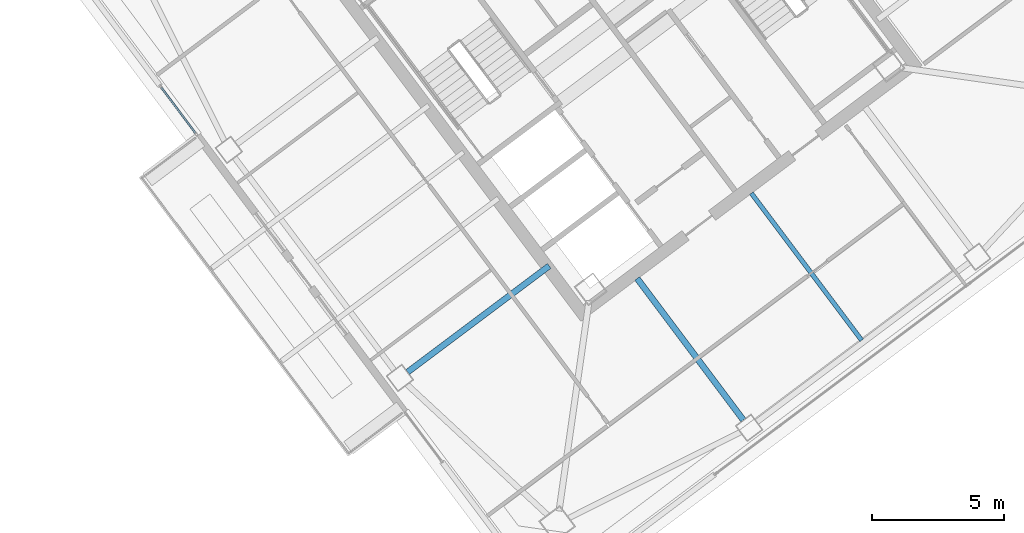
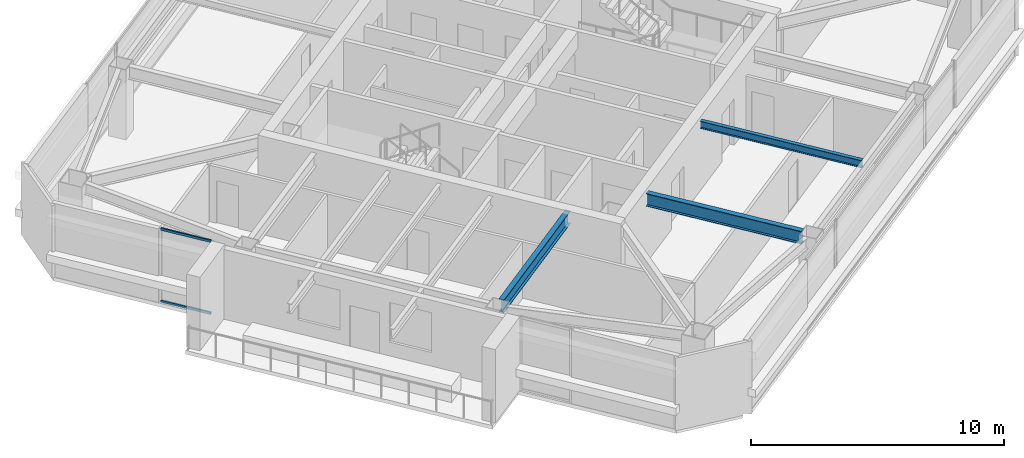
# One storey, part 19 of 39: 3 beams, 2 members, 1 element without a shape of its own.
"""IFC4 building model written with IfcOpenShell, lengths in metres."""

from ifc_helpers import new_model, si_unit, direction, frame, origin, origin_2d, place, context, subcontext, project, spatial, hollow_rectangle, i_section, extrude, material, material_profile, profile_set, type_object, element, aggregate, save


model = new_model("IFC4")

# Units and contexts
model_context = context("Model", 3, precision=1e-05, world=origin(), true_north=direction((0.0, 1.0)))
body_context = subcontext(model_context, "Body", "Model", "MODEL_VIEW")
ifc_project = project(units=[si_unit("LENGTHUNIT", "METRE"), si_unit("AREAUNIT", "SQUARE_METRE"), si_unit("VOLUMEUNIT", "CUBIC_METRE"), si_unit("PLANEANGLEUNIT", "RADIAN"), si_unit("MASSUNIT", "GRAM", prefix="KILO")], contexts=[model_context])

# Site, building, storey
site_placement = place(None, origin())
site = spatial("IfcSite", under=ifc_project, at=site_placement, CompositionType="ELEMENT")
building_placement = place(site_placement, origin())
building = spatial("IfcBuilding", under=site, at=building_placement, Name="Tashvorn Skyway Center", CompositionType="ELEMENT")
storey_placement = place(building_placement, frame((0.0, 0.0, 225.5)))
storey = spatial("IfcBuildingStorey", under=building, at=storey_placement, Name="L61", CompositionType="ELEMENT", Elevation=225.5)

# Beams
ifc_material_1 = material(Name="Steel ASTM A992 Grade 50", Category="steel")
ifc_material_profile_1 = material_profile(ifc_material_1, i_section(OverallWidth=0.22998046875, OverallDepth=0.616943359375, WebThickness=0.01318359375, FlangeThickness=0.022216796875, at=origin_2d()), Name="W24X94")
ifc_profile_set_1 = profile_set([ifc_material_profile_1], Name="Steel ASTM A992 Grade 50")
beam_type_1 = type_object("IfcBeamType", Name="BM-BEAM-W24X94", PredefinedType="BEAM", material=ifc_profile_set_1)
beam_1_placement = place(storey_placement, frame((118.367919921875, 17.176025390625, 3.0615234375), z_axis=(-0.600011660554, 0.799991254452, 0.0), x_axis=(-0.799991254452, -0.600011660554, 0.0)))
element("IfcBeam", 1, at=beam_1_placement, inside=storey, type_object=beam_type_1, Name="Tower 2 L61 Primary Floor Girder FC-S1", PredefinedType="BEAM", context=body_context, shape_type="SweptSolid", body=[
    extrude(i_section(OverallWidth=0.22998046875, OverallDepth=0.616943359375, WebThickness=0.01318359375, FlangeThickness=0.022216796875, at=origin_2d()), origin(), (0.0, 0.0, 1.0), 6.699951171875),
])
beam_2_placement = place(storey_placement, frame((105.656005859375, 18.991943359375, 3.0615234375), z_axis=(0.800004372583, 0.599994169845, 0.0), x_axis=(-0.599994169845, 0.800004372583, 0.0)))
element("IfcBeam", 2, at=beam_2_placement, inside=storey, type_object=beam_type_1, Name="Tower 2 L61 Primary Floor Girder FC-W2", PredefinedType="BEAM", context=body_context, shape_type="SweptSolid", body=[
    extrude(i_section(OverallWidth=0.22998046875, OverallDepth=0.616943359375, WebThickness=0.01318359375, FlangeThickness=0.022216796875, at=origin_2d()), origin(), (0.0, 0.0, 1.0), 6.7001953125),
])
ifc_material_profile_2 = material_profile(ifc_material_1, i_section(OverallWidth=0.1708984375, OverallDepth=0.35498046875, WebThickness=0.007080078125, FlangeThickness=0.01171875, at=origin_2d()), Name="W14X34")
ifc_profile_set_2 = profile_set([ifc_material_profile_2], Name="Steel ASTM A992 Grade 50")
beam_type_2 = type_object("IfcBeamType", Name="BM-JOIST-W14X34", PredefinedType="JOIST", material=ifc_profile_set_2)
beam_3_placement = place(storey_placement, frame((118.674072265625, 25.76806640625, 3.1923828125), z_axis=(0.599994389612, -0.800004207761, 0.0), x_axis=(0.800004207761, 0.599994389612, 0.0)))
element("IfcBeam", 3, at=beam_3_placement, inside=storey, type_object=beam_type_2, Name="Tower 2 L61 Secondary Composite Joist JS", PredefinedType="JOIST", context=body_context, shape_type="SweptSolid", body=[
    extrude(i_section(OverallWidth=0.1708984375, OverallDepth=0.35498046875, WebThickness=0.007080078125, FlangeThickness=0.01171875, at=origin_2d()), origin(), (0.0, 0.0, 1.0), 6.962646484375),
])

# Curtain wall, members
ifc_material_2 = material(Name="Thermally broken bronze-anodized aluminium 6063-T6", Category="aluminium")
curtain_wall_type = type_object("IfcCurtainWallType", Name="CW-CW-Z5", PredefinedType="NOTDEFINED", material=ifc_material_2)
curtain_wall_placement = place(storey_placement, origin())
curtain_wall = element("IfcCurtainWall", 4, at=curtain_wall_placement, inside=storey, type_object=curtain_wall_type, Name="Tower 2 L61 West Curtain Wall R Glazing Group 1", PredefinedType="NOTDEFINED")
ifc_material_profile_3 = material_profile(ifc_material_2, hollow_rectangle(XDim=0.070068359375, YDim=0.114990234375, WallThickness=0.00390625, at=origin_2d()), Name="ALU-TRAN-70x115")
ifc_profile_set_3 = profile_set([ifc_material_profile_3], Name="Thermally broken bronze-anodized aluminium 6063-T6")
member_type = type_object("IfcMemberType", Name="CWT-CW-Z5", PredefinedType="USERDEFINED", material=ifc_profile_set_3)
member_1_placement = place(storey_placement, frame((97.614013671875, 28.048095703125, 0.034912109375), z_axis=(-0.6, 0.8, 0.0), x_axis=(-0.8, -0.6, 0.0)))
member_1 = element("IfcMember", 5, at=member_1_placement, type_object=member_type, Name="CW-Z5 transom 1.1", ObjectType="TRANSOM", PredefinedType="USERDEFINED", context=body_context, shape_type="SweptSolid", body=[
    extrude(hollow_rectangle(XDim=0.070068359375, YDim=0.114990234375, WallThickness=0.00390625, at=origin_2d()), origin(), (0.0, 0.0, 1.0), 2.1533203125),
])
member_2_placement = place(storey_placement, frame((97.614013671875, 28.048095703125, 3.514892578125), z_axis=(-0.6, 0.8, 0.0), x_axis=(-0.8, -0.6, 0.0)))
member_2 = element("IfcMember", 6, at=member_2_placement, type_object=member_type, Name="CW-Z5 transom 1.2", ObjectType="TRANSOM", PredefinedType="USERDEFINED", context=body_context, shape_type="SweptSolid", body=[
    extrude(hollow_rectangle(XDim=0.070068359375, YDim=0.114990234375, WallThickness=0.00390625, at=origin_2d()), origin(), (0.0, 0.0, 1.0), 2.1533203125),
])
aggregate(curtain_wall, [member_1, member_2])

save(model, "model.ifc")
